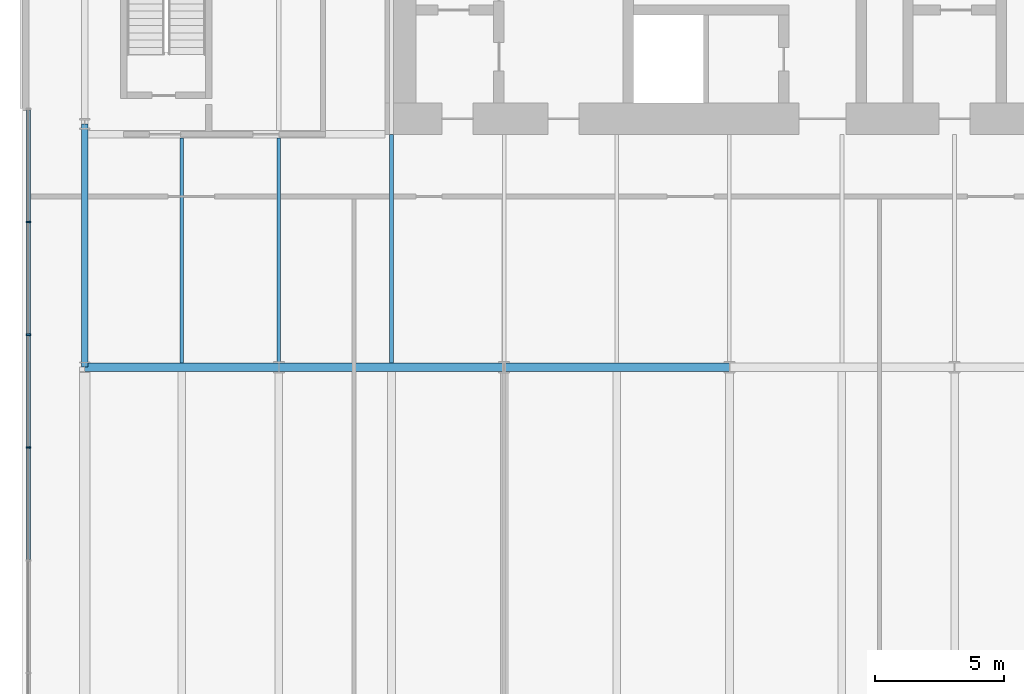
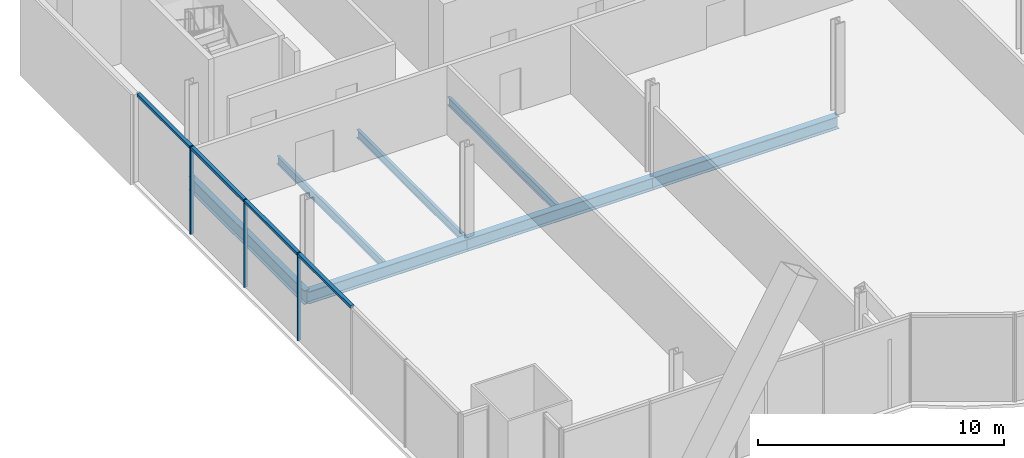
# One storey, part 6 of 23: 7 beams, 7 members, 1 element without a shape of its own.
"""IFC4 building model written with IfcOpenShell, lengths in metres."""

from ifc_helpers import new_model, si_unit, direction, frame, origin, origin_2d, place, context, subcontext, project, spatial, rectangle, i_section, extrude, material, material_profile, profile_set, type_object, element, aggregate, save


model = new_model("IFC4")

# Units and contexts
model_context = context("Model", 3, precision=1e-05, world=origin(), true_north=direction((0.0, 1.0)))
body_context = subcontext(model_context, "Body", "Model", "MODEL_VIEW")
ifc_project = project(units=[si_unit("LENGTHUNIT", "METRE"), si_unit("AREAUNIT", "SQUARE_METRE"), si_unit("VOLUMEUNIT", "CUBIC_METRE"), si_unit("PLANEANGLEUNIT", "RADIAN"), si_unit("MASSUNIT", "GRAM", prefix="KILO")], contexts=[model_context])

# Site, building, storey
site_placement = place(None, origin())
site = spatial("IfcSite", under=ifc_project, at=site_placement, CompositionType="ELEMENT")
building_placement = place(site_placement, origin())
building = spatial("IfcBuilding", under=site, at=building_placement, Name="Bicima Exchange Tower", CompositionType="ELEMENT")
storey_placement = place(building_placement, frame((0.0, 0.0, 44.0)))
storey = spatial("IfcBuildingStorey", under=building, at=storey_placement, Name="L08", CompositionType="ELEMENT", Elevation=44.0)

# Curtain wall, members
ifc_material_1 = material(Name="Anodised bronze aluminium", Category="aluminium")
curtain_wall_type = type_object("IfcCurtainWallType", Name="End face glass wall", PredefinedType="NOTDEFINED", material=ifc_material_1)
curtain_wall_placement = place(storey_placement, origin())
curtain_wall = element("IfcCurtainWall", 1, at=curtain_wall_placement, inside=storey, type_object=curtain_wall_type, Name="End face glass wall L08 run 2", PredefinedType="NOTDEFINED")
ifc_material_profile_1 = material_profile(ifc_material_1, rectangle(XDim=0.159912109375, YDim=0.06005859375, at=origin_2d()))
ifc_profile_set_1 = profile_set([ifc_material_profile_1], Name="Anodised bronze aluminium")
member_type_1 = type_object("IfcMemberType", Name="End face glass wall mullion 60 x 160", PredefinedType="MULLION", material=ifc_profile_set_1)
member_1_placement = place(storey_placement, frame((-35.77001953125, -16.386962890625, 0.0), z_axis=(0.0, 0.0, 1.0), x_axis=(1.0, 0.0, 0.0)))
member_1 = element("IfcMember", 2, at=member_1_placement, type_object=member_type_1, Name="End face glass wall mullion 2", PredefinedType="MULLION", context=body_context, shape_type="SweptSolid", body=[
    extrude(rectangle(XDim=0.159912109375, YDim=0.06005859375, at=origin_2d()), origin(), (0.0, 0.0, 1.0), 4.35009765625),
])
member_2_placement = place(storey_placement, frame((-35.77001953125, -20.743896484375, 0.0), z_axis=(0.0, 0.0, 1.0), x_axis=(1.0, 0.0, 0.0)))
member_2 = element("IfcMember", 3, at=member_2_placement, type_object=member_type_1, Name="End face glass wall mullion 3", PredefinedType="MULLION", context=body_context, shape_type="SweptSolid", body=[
    extrude(rectangle(XDim=0.159912109375, YDim=0.06005859375, at=origin_2d()), origin(), (0.0, 0.0, 1.0), 4.35009765625),
])
member_3_placement = place(storey_placement, frame((-35.77001953125, -25.10107421875, 0.0), z_axis=(0.0, 0.0, 1.0), x_axis=(1.0, 0.0, 0.0)))
member_3 = element("IfcMember", 4, at=member_3_placement, type_object=member_type_1, Name="End face glass wall mullion 4", PredefinedType="MULLION", context=body_context, shape_type="SweptSolid", body=[
    extrude(rectangle(XDim=0.159912109375, YDim=0.06005859375, at=origin_2d()), origin(), (0.0, 0.0, 1.0), 4.35009765625),
])
ifc_material_profile_2 = material_profile(ifc_material_1, rectangle(XDim=0.159912109375, YDim=0.139892578125, at=origin_2d()))
ifc_profile_set_2 = profile_set([ifc_material_profile_2], Name="Anodised bronze aluminium")
member_type_2 = type_object("IfcMemberType", Name="End face glass wall transom 140 x 160", PredefinedType="USERDEFINED", material=ifc_profile_set_2)
member_4_placement = place(storey_placement, frame((-35.77001953125, -12.06005859375, 4.280029296875), z_axis=(0.0, -1.0, 0.0), x_axis=(1.0, 0.0, 0.0)))
member_4 = element("IfcMember", 5, at=member_4_placement, type_object=member_type_2, Name="End face glass wall transom 1.1", ObjectType="TRANSOM", PredefinedType="USERDEFINED", context=body_context, shape_type="SweptSolid", body=[
    extrude(rectangle(XDim=0.159912109375, YDim=0.139892578125, at=origin_2d()), origin(), (0.0, 0.0, 1.0), 4.296875),
])
member_5_placement = place(storey_placement, frame((-35.77001953125, -16.4169921875, 4.280029296875), z_axis=(0.0, -1.0, 0.0), x_axis=(1.0, 0.0, 0.0)))
member_5 = element("IfcMember", 6, at=member_5_placement, type_object=member_type_2, Name="End face glass wall transom 2.1", ObjectType="TRANSOM", PredefinedType="USERDEFINED", context=body_context, shape_type="SweptSolid", body=[
    extrude(rectangle(XDim=0.159912109375, YDim=0.139892578125, at=origin_2d()), origin(), (0.0, 0.0, 1.0), 4.297119140625),
])
member_6_placement = place(storey_placement, frame((-35.77001953125, -20.77392578125, 4.280029296875), z_axis=(0.0, -1.0, 0.0), x_axis=(1.0, 0.0, 0.0)))
member_6 = element("IfcMember", 7, at=member_6_placement, type_object=member_type_2, Name="End face glass wall transom 3.1", ObjectType="TRANSOM", PredefinedType="USERDEFINED", context=body_context, shape_type="SweptSolid", body=[
    extrude(rectangle(XDim=0.159912109375, YDim=0.139892578125, at=origin_2d()), origin(), (0.0, 0.0, 1.0), 4.297119140625),
])
member_7_placement = place(storey_placement, frame((-35.77001953125, -25.131103515625, 4.280029296875), z_axis=(0.0, -1.0, 0.0), x_axis=(1.0, 0.0, 0.0)))
member_7 = element("IfcMember", 8, at=member_7_placement, type_object=member_type_2, Name="End face glass wall transom 4.1", ObjectType="TRANSOM", PredefinedType="USERDEFINED", context=body_context, shape_type="SweptSolid", body=[
    extrude(rectangle(XDim=0.159912109375, YDim=0.139892578125, at=origin_2d()), origin(), (0.0, 0.0, 1.0), 4.296875),
])
aggregate(curtain_wall, [member_1, member_2, member_3, member_4, member_5, member_6, member_7])

# Beams
ifc_material_2 = material(Name="Steel ASTM A992 Gr 50", Category="steel")
ifc_material_profile_3 = material_profile(ifc_material_2, i_section(OverallWidth=0.256591796875, OverallDepth=0.693359375, WebThickness=0.014404296875, FlangeThickness=0.023681640625, at=origin_2d()))
ifc_profile_set_3 = profile_set([ifc_material_profile_3], Name="Steel ASTM A992 Gr 50")
beam_type_1 = type_object("IfcBeamType", Name="End girder W27x114", PredefinedType="BEAM", material=ifc_profile_set_3)
beam_1_placement = place(storey_placement, frame((-33.60009765625, -12.60009765625, -0.49658203125), z_axis=(0.0, -1.0, 0.0), x_axis=(1.0, 0.0, 0.0)))
element("IfcBeam", 9, at=beam_1_placement, inside=storey, type_object=beam_type_1, Name="End girder", PredefinedType="BEAM", context=body_context, shape_type="SweptSolid", body=[
    extrude(i_section(OverallWidth=0.256591796875, OverallDepth=0.693359375, WebThickness=0.014404296875, FlangeThickness=0.023681640625, at=origin_2d()), origin(), (0.0, 0.0, 1.0), 9.39990234375),
])
ifc_material_profile_4 = material_profile(ifc_material_2, i_section(OverallWidth=0.140380859375, OverallDepth=0.40380859375, WebThickness=0.007080078125, FlangeThickness=0.01123046875, at=origin_2d()))
ifc_profile_set_4 = profile_set([ifc_material_profile_4], Name="Steel ASTM A992 Gr 50")
beam_type_2 = type_object("IfcBeamType", Name="Floor beam W16x31", PredefinedType="JOIST", material=ifc_profile_set_4)
for number, where, z_axis, x_axis, name in (
    (10, (-29.85009765625, -13.15234375, -0.351806640625), (0.0, -1.0, 0.0), (1.0, 0.0, 0.0), "Floor beam"),
    (11, (-26.10009765625, -13.15234375, -0.351806640625), (0.0, -1.0, 0.0), (1.0, 0.0, 0.0), "Floor beam"),
):
    element("IfcBeam", number, at=place(storey_placement, frame(where, z_axis=z_axis, x_axis=x_axis)), inside=storey, type_object=beam_type_2, Name=name, PredefinedType="JOIST", context=body_context, shape_type="SweptSolid", body=[
        extrude(i_section(OverallWidth=0.140380859375, OverallDepth=0.40380859375, WebThickness=0.007080078125, FlangeThickness=0.01123046875, at=origin_2d()), origin(), (0.0, 0.0, 1.0), 8.68505859375),
    ])
beam_2_placement = place(storey_placement, frame((-21.75, -13.0, -0.351806640625), z_axis=(0.0, -1.0, 0.0), x_axis=(1.0, 0.0, 0.0)))
element("IfcBeam", 12, at=beam_2_placement, inside=storey, type_object=beam_type_2, Name="Floor beam", PredefinedType="JOIST", context=body_context, shape_type="SweptSolid", body=[
    extrude(i_section(OverallWidth=0.140380859375, OverallDepth=0.40380859375, WebThickness=0.007080078125, FlangeThickness=0.01123046875, at=origin_2d()), origin(), (0.0, 0.0, 1.0), 8.83740234375),
])
ifc_material_profile_5 = material_profile(ifc_material_2, i_section(OverallWidth=0.3251953125, OverallDepth=0.612060546875, WebThickness=0.0126953125, FlangeThickness=0.01904296875, at=origin_2d()))
ifc_profile_set_5 = profile_set([ifc_material_profile_5], Name="Steel ASTM A992 Gr 50")
beam_type_3 = type_object("IfcBeamType", Name="Row girder W24x104", PredefinedType="BEAM", material=ifc_profile_set_5)
beam_3_placement = place(storey_placement, frame((-33.60009765625, -22.0, -0.4560546875), z_axis=(1.0, 0.0, 0.0), x_axis=(0.0, 1.0, 0.0)))
element("IfcBeam", 13, at=beam_3_placement, inside=storey, type_object=beam_type_3, Name="Row girder", PredefinedType="BEAM", context=body_context, shape_type="SweptSolid", body=[
    extrude(i_section(OverallWidth=0.3251953125, OverallDepth=0.612060546875, WebThickness=0.0126953125, FlangeThickness=0.01904296875, at=origin_2d()), origin(), (0.0, 0.0, 1.0), 7.5),
])
beam_4_placement = place(storey_placement, frame((-26.10009765625, -22.0, -0.4560546875), z_axis=(1.0, 0.0, 0.0), x_axis=(0.0, 1.0, 0.0)))
element("IfcBeam", 14, at=beam_4_placement, inside=storey, type_object=beam_type_3, Name="Row girder", PredefinedType="BEAM", context=body_context, shape_type="SweptSolid", body=[
    extrude(i_section(OverallWidth=0.3251953125, OverallDepth=0.612060546875, WebThickness=0.0126953125, FlangeThickness=0.01904296875, at=origin_2d()), origin(), (0.0, 0.0, 1.0), 8.7001953125),
])
beam_5_placement = place(storey_placement, frame((-17.39990234375, -22.0, -0.4560546875), z_axis=(1.0, 0.0, 0.0), x_axis=(0.0, 1.0, 0.0)))
element("IfcBeam", 15, at=beam_5_placement, inside=storey, type_object=beam_type_3, Name="Row girder", PredefinedType="BEAM", context=body_context, shape_type="SweptSolid", body=[
    extrude(i_section(OverallWidth=0.3251953125, OverallDepth=0.612060546875, WebThickness=0.0126953125, FlangeThickness=0.01904296875, at=origin_2d()), origin(), (0.0, 0.0, 1.0), 8.699951171875),
])

save(model, "model.ifc")
